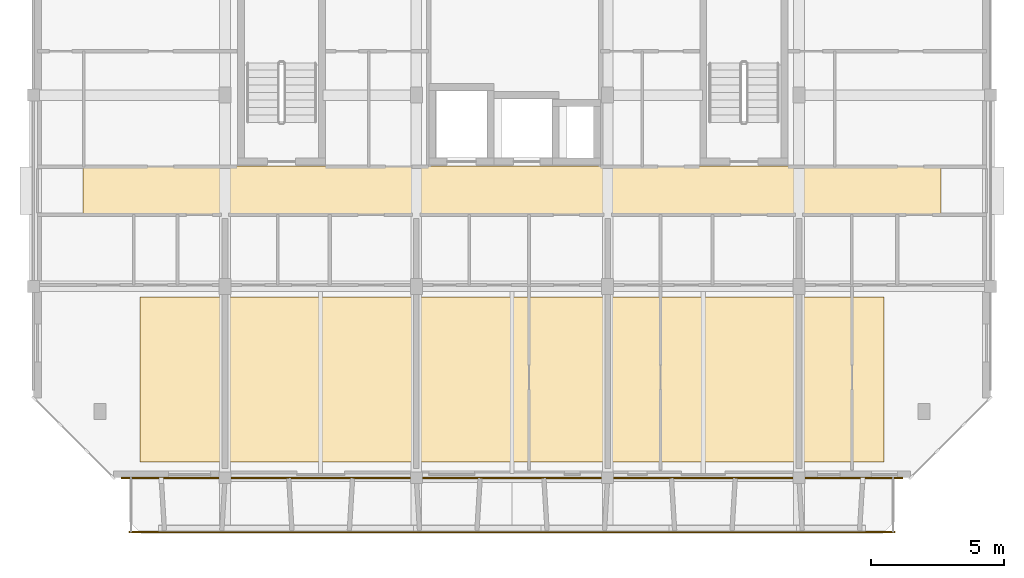
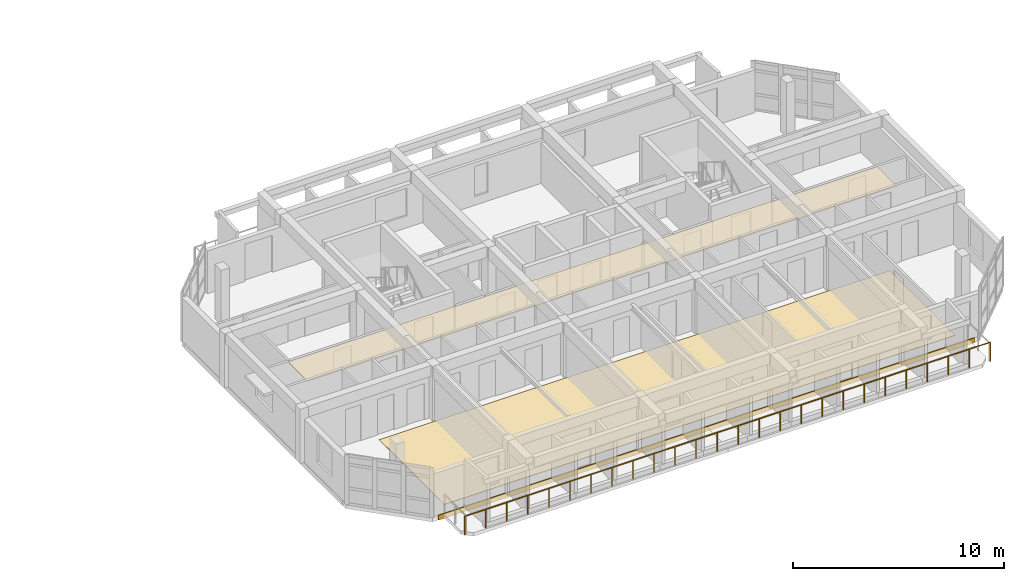
# One storey, part 18 of 22: 3 coverings, 1 railing.
"""IFC4 building model written with IfcOpenShell, lengths in metres."""

from ifc_helpers import new_model, si_unit, direction, frame, origin, origin_2d, place, context, subcontext, project, spatial, polyline, rectangle, circle, outline, extrude, material, layer, layer_set, type_object, element, save


model = new_model("IFC4")

# Units and contexts
model_context = context("Model", 3, precision=1e-05, world=origin(), true_north=direction((0.0, 1.0)))
body_context = subcontext(model_context, "Body", "Model", "MODEL_VIEW")
ifc_project = project(units=[si_unit("LENGTHUNIT", "METRE"), si_unit("AREAUNIT", "SQUARE_METRE"), si_unit("VOLUMEUNIT", "CUBIC_METRE"), si_unit("PLANEANGLEUNIT", "RADIAN"), si_unit("MASSUNIT", "GRAM", prefix="KILO")], contexts=[model_context])

# Site, building, storey
site_placement = place(None, origin())
site = spatial("IfcSite", under=ifc_project, at=site_placement, CompositionType="ELEMENT")
building_placement = place(site_placement, origin())
building = spatial("IfcBuilding", under=site, at=building_placement, Name="Ochrevale Crest", CompositionType="ELEMENT")
storey_placement = place(building_placement, frame((0.0, 0.0, 40.199951171875)))
storey = spatial("IfcBuildingStorey", under=building, at=storey_placement, Name="L12", CompositionType="ELEMENT", Elevation=40.199951171875)

# Coverings
ifc_material_1 = material(Name="Gypsum plasterboard", Category="gypsum")
ifc_layer_1 = layer(ifc_material_1, 0.02490234375)
ifc_layer_set_1 = layer_set([ifc_layer_1], Name="Gypsum plasterboard")
covering_type_1 = type_object("IfcCoveringType", Name="COV-CEIL-GYP", PredefinedType="CEILING", material=ifc_layer_set_1)
covering_1_placement = place(storey_placement, frame((0.0, 0.0, 2.280029296875)))
element("IfcCovering", 1, at=covering_1_placement, inside=storey, type_object=covering_type_1, Name="Block C L12 acoustic corridor ceiling", PredefinedType="CEILING", context=body_context, shape_type="SweptSolid", body=[
    extrude(outline(polyline([(131.449951171875, 24.260009765625), (163.75, 24.260009765625), (163.75, 26.139892578125), (131.449951171875, 26.139892578125), (131.449951171875, 24.260009765625)])), origin(), (0.0, 0.0, 1.0), 0.02490234375),
])
ifc_material_2 = material(Name="Glazed terracotta rainscreen tile", Category="masonry")
ifc_layer_2 = layer(ifc_material_2, 0.048095703125)
ifc_layer_set_2 = layer_set([ifc_layer_2], Name="Glazed terracotta rainscreen tile")
covering_type_2 = type_object("IfcCoveringType", Name="COV-CLAD-TER", PredefinedType="CLADDING", material=ifc_layer_set_2)
covering_2_placement = place(storey_placement, frame((147.60009765625, 14.387451171875, -0.259765625), z_axis=(0.0, 0.0, 1.0), x_axis=(1.0, 0.0, 0.0)))
element("IfcCovering", 2, at=covering_2_placement, inside=storey, type_object=covering_type_2, Name="Block C L12 terracotta slab-edge spandrel cladding", PredefinedType="CLADDING", context=body_context, shape_type="SweptSolid", body=[
    extrude(rectangle(XDim=29.39990234375, YDim=0.06005859375, at=origin_2d()), origin(), (0.0, 0.0, 1.0), 0.280029296875),
])
ifc_material_3 = material(Name="Engineered spotted-gum hardwood flooring", Category="wood")
ifc_layer_3 = layer(ifc_material_3, 0.02001953125)
ifc_layer_set_3 = layer_set([ifc_layer_3], Name="Engineered spotted-gum hardwood flooring")
covering_type_3 = type_object("IfcCoveringType", Name="COV-FLR-TIM", PredefinedType="FLOORING", material=ifc_layer_set_3)
covering_3_placement = place(storey_placement, origin())
element("IfcCovering", 3, at=covering_3_placement, inside=storey, type_object=covering_type_3, Name="Block C L12 spotted-gum apartment flooring", PredefinedType="FLOORING", context=body_context, shape_type="SweptSolid", body=[
    extrude(outline(polyline([(133.60009765625, 15.0), (161.60009765625, 15.0), (161.60009765625, 21.199951171875), (133.60009765625, 21.199951171875), (133.60009765625, 15.0)])), origin(), (0.0, 0.0, 1.0), 0.02001953125),
])

# Railing
ifc_material_4 = material(Name="Galvanised steel", Category="steel")
railing_type = type_object("IfcRailingType", Name="RL-BAL-1100", PredefinedType="BALUSTRADE", material=ifc_material_4)
railing_placement = place(storey_placement, frame((133.199951171875, 12.360107421875, 0.0)))
element("IfcRailing", 4, at=railing_placement, inside=storey, type_object=railing_type, Name="Block C L12 S balcony front balustrade", PredefinedType="BALUSTRADE", context=body_context, shape_type="SweptSolid", body=[
    extrude(circle(Radius=0.02392578125, at=origin_2d()), frame((0.0, 0.0, 1.0859375), z_axis=(1.0, 0.0, 0.0), x_axis=(0.0, 1.0, 0.0)), (0.0, 0.0, 1.0), 28.800048828125),
    extrude(circle(Radius=0.02099609375, at=origin_2d()), origin(), (0.0, 0.0, 1.0), 1.06201171875),
    extrude(circle(Radius=0.02099609375, at=origin_2d()), frame((1.152099609375, 0.0, 0.0)), (0.0, 0.0, 1.0), 1.06201171875),
    extrude(circle(Radius=0.02099609375, at=origin_2d()), frame((2.303955078125, 0.0, 0.0)), (0.0, 0.0, 1.0), 1.06201171875),
    extrude(circle(Radius=0.02099609375, at=origin_2d()), frame((3.4560546875, 0.0, 0.0)), (0.0, 0.0, 1.0), 1.06201171875),
    extrude(circle(Radius=0.02099609375, at=origin_2d()), frame((4.60791015625, 0.0, 0.0)), (0.0, 0.0, 1.0), 1.06201171875),
    extrude(circle(Radius=0.02099609375, at=origin_2d()), frame((5.760009765625, 0.0, 0.0)), (0.0, 0.0, 1.0), 1.06201171875),
    extrude(circle(Radius=0.02099609375, at=origin_2d()), frame((6.912109375, 0.0, 0.0)), (0.0, 0.0, 1.0), 1.06201171875),
    extrude(circle(Radius=0.02099609375, at=origin_2d()), frame((8.06396484375, 0.0, 0.0)), (0.0, 0.0, 1.0), 1.06201171875),
    extrude(circle(Radius=0.02099609375, at=origin_2d()), frame((9.216064453125, 0.0, 0.0)), (0.0, 0.0, 1.0), 1.06201171875),
    extrude(circle(Radius=0.02099609375, at=origin_2d()), frame((10.367919921875, 0.0, 0.0)), (0.0, 0.0, 1.0), 1.06201171875),
    extrude(circle(Radius=0.02099609375, at=origin_2d()), frame((11.52001953125, 0.0, 0.0)), (0.0, 0.0, 1.0), 1.06201171875),
    extrude(circle(Radius=0.02099609375, at=origin_2d()), frame((12.672119140625, 0.0, 0.0)), (0.0, 0.0, 1.0), 1.06201171875),
    extrude(circle(Radius=0.02099609375, at=origin_2d()), frame((13.823974609375, 0.0, 0.0)), (0.0, 0.0, 1.0), 1.06201171875),
    extrude(circle(Radius=0.02099609375, at=origin_2d()), frame((14.97607421875, 0.0, 0.0)), (0.0, 0.0, 1.0), 1.06201171875),
    extrude(circle(Radius=0.02099609375, at=origin_2d()), frame((16.1279296875, 0.0, 0.0)), (0.0, 0.0, 1.0), 1.06201171875),
    extrude(circle(Radius=0.02099609375, at=origin_2d()), frame((17.280029296875, 0.0, 0.0)), (0.0, 0.0, 1.0), 1.06201171875),
    extrude(circle(Radius=0.02099609375, at=origin_2d()), frame((18.43212890625, 0.0, 0.0)), (0.0, 0.0, 1.0), 1.06201171875),
    extrude(circle(Radius=0.02099609375, at=origin_2d()), frame((19.583984375, 0.0, 0.0)), (0.0, 0.0, 1.0), 1.06201171875),
    extrude(circle(Radius=0.02099609375, at=origin_2d()), frame((20.736083984375, 0.0, 0.0)), (0.0, 0.0, 1.0), 1.06201171875),
    extrude(circle(Radius=0.02099609375, at=origin_2d()), frame((21.887939453125, 0.0, 0.0)), (0.0, 0.0, 1.0), 1.06201171875),
    extrude(circle(Radius=0.02099609375, at=origin_2d()), frame((23.0400390625, 0.0, 0.0)), (0.0, 0.0, 1.0), 1.06201171875),
    extrude(circle(Radius=0.02099609375, at=origin_2d()), frame((24.192138671875, 0.0, 0.0)), (0.0, 0.0, 1.0), 1.06201171875),
    extrude(circle(Radius=0.02099609375, at=origin_2d()), frame((25.343994140625, 0.0, 0.0)), (0.0, 0.0, 1.0), 1.06201171875),
    extrude(circle(Radius=0.02099609375, at=origin_2d()), frame((26.49609375, 0.0, 0.0)), (0.0, 0.0, 1.0), 1.06201171875),
    extrude(circle(Radius=0.02099609375, at=origin_2d()), frame((27.64794921875, 0.0, 0.0)), (0.0, 0.0, 1.0), 1.06201171875),
    extrude(circle(Radius=0.02099609375, at=origin_2d()), frame((28.800048828125, 0.0, 0.0)), (0.0, 0.0, 1.0), 1.06201171875),
])

save(model, "model.ifc")
